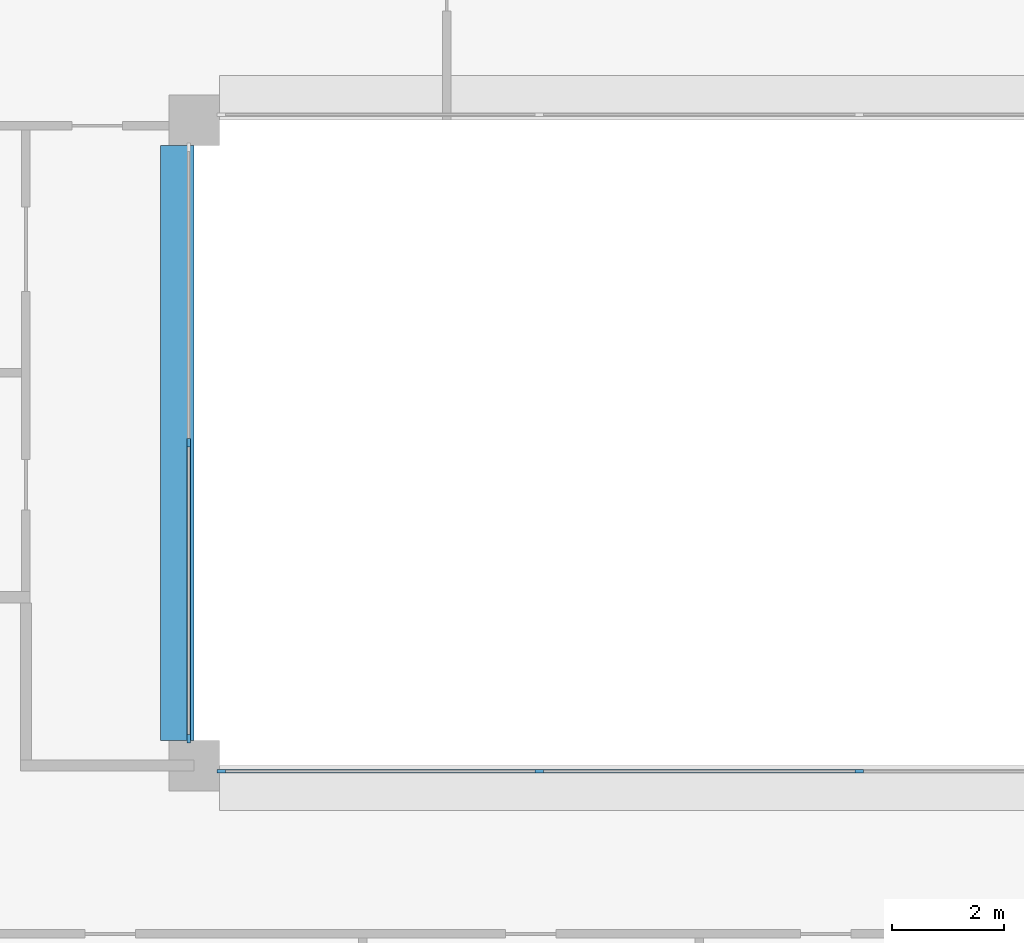
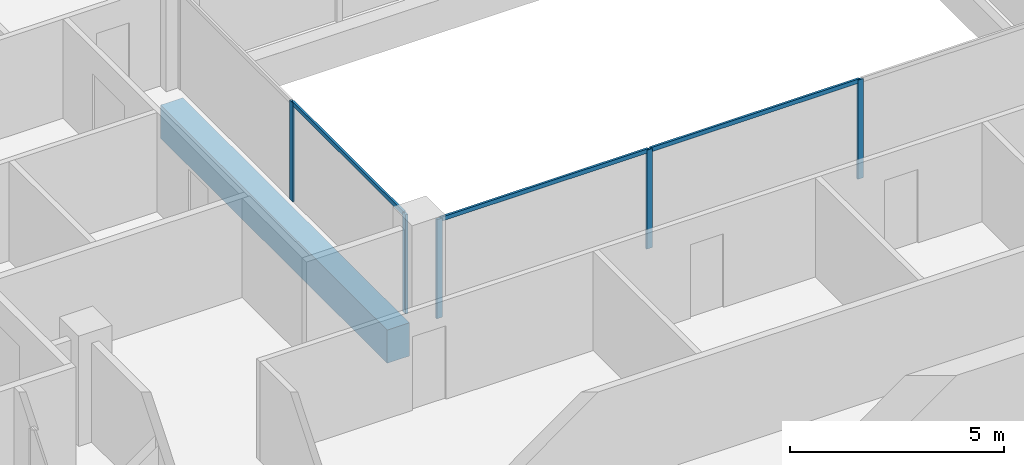
# One storey, part 2 of 15: 8 members, 1 beam, 2 elements without a shape of their own.
"""IFC4 building model written with IfcOpenShell, lengths in metres."""

from ifc_helpers import new_model, si_unit, direction, frame, origin, origin_2d, place, context, subcontext, project, spatial, rectangle, extrude, material, layer, layer_set, material_profile, profile_set, type_object, element, aggregate, save


model = new_model("IFC4")

# Units and contexts
model_context = context("Model", 3, precision=1e-05, world=origin(), true_north=direction((0.0, 1.0)))
body_context = subcontext(model_context, "Body", "Model", "MODEL_VIEW")
ifc_project = project(units=[si_unit("LENGTHUNIT", "METRE"), si_unit("AREAUNIT", "SQUARE_METRE"), si_unit("VOLUMEUNIT", "CUBIC_METRE"), si_unit("PLANEANGLEUNIT", "RADIAN"), si_unit("MASSUNIT", "GRAM", prefix="KILO")], contexts=[model_context])

# Site, building, storey
site_placement = place(None, origin())
site = spatial("IfcSite", under=ifc_project, at=site_placement, CompositionType="ELEMENT")
building_placement = place(site_placement, origin())
building = spatial("IfcBuilding", under=site, at=building_placement, Name="Brigalow Station Residences", CompositionType="ELEMENT")
storey_placement = place(building_placement, frame((0.0, 0.0, 223.199951171875)))
storey = spatial("IfcBuildingStorey", under=building, at=storey_placement, Name="L64", CompositionType="ELEMENT", Elevation=223.199951171875)

# Beam
ifc_material_1 = material(Name="Concrete C65", Category="concrete")
ifc_material_profile_1 = material_profile(ifc_material_1, rectangle(XDim=0.60009765625, YDim=0.949951171875, at=origin_2d()), Name="RC600x950")
ifc_profile_set_1 = profile_set([ifc_material_profile_1], Name="Concrete C65")
beam_type = type_object("IfcBeamType", Name="ATRIUM EDGE GIRDER 600x950 C65", PredefinedType="BEAM", material=ifc_profile_set_1)
beam_placement = place(storey_placement, frame((26.699951171875, 24.449951171875, -0.794921875), z_axis=(0.0, 1.0, 0.0), x_axis=(-1.0, 0.0, 0.0)))
element("IfcBeam", 1, at=beam_placement, inside=storey, type_object=beam_type, Name="ATRIUM EDGE GIRDER 3 L64", PredefinedType="BEAM", context=body_context, shape_type="SweptSolid", body=[
    extrude(rectangle(XDim=0.60009765625, YDim=0.949951171875, at=origin_2d()), origin(), (0.0, 0.0, 1.0), 10.60009765625),
])

# Curtain wall, members
ifc_material_2 = material(Name="Aluminium", Category="aluminium")
ifc_layer = layer(ifc_material_2, 0.14990234375)
ifc_layer_set = layer_set([ifc_layer], Name="ATRIUM FIRE-RATED GLAZING CURTAIN WALL")
curtain_wall_type = type_object("IfcCurtainWallType", Name="ATRIUM FIRE-RATED GLAZING CURTAIN WALL", PredefinedType="NOTDEFINED", material=ifc_layer_set)
curtain_wall_1_placement = place(storey_placement, origin())
curtain_wall_1 = element("IfcCurtainWall", 2, at=curtain_wall_1_placement, inside=storey, type_object=curtain_wall_type, Name="L64/cw/atrium-S", PredefinedType="NOTDEFINED")
ifc_material_3 = material(Name="Aluminium", Category="aluminium")
ifc_material_profile_2 = material_profile(ifc_material_3, rectangle(XDim=0.06005859375, YDim=0.14990234375, at=origin_2d()), Name="ATRIUM FIRE-RATED GLAZING MULLION 60x150")
ifc_profile_set_2 = profile_set([ifc_material_profile_2], Name="Aluminium")
member_type_1 = type_object("IfcMemberType", Name="ATRIUM FIRE-RATED GLAZING MULLION 60x150", PredefinedType="MULLION", material=ifc_profile_set_2)
member_1_placement = place(storey_placement, frame((27.47998046875, 23.89990234375, 0.0), z_axis=(0.0, 0.0, 1.0), x_axis=(0.0, 1.0, 0.0)))
member_1 = element("IfcMember", 3, at=member_1_placement, type_object=member_type_1, Name="L64/cw/atrium-S/M00", PredefinedType="MULLION", context=body_context, shape_type="SweptSolid", body=[
    extrude(rectangle(XDim=0.06005859375, YDim=0.14990234375, at=origin_2d()), origin(), (0.0, 0.0, 1.0), 2.830078125),
])
member_2_placement = place(storey_placement, frame((33.14990234375, 23.89990234375, 0.0), z_axis=(0.0, 0.0, 1.0), x_axis=(0.0, 1.0, 0.0)))
member_2 = element("IfcMember", 4, at=member_2_placement, type_object=member_type_1, Name="L64/cw/atrium-S/M01", PredefinedType="MULLION", context=body_context, shape_type="SweptSolid", body=[
    extrude(rectangle(XDim=0.06005859375, YDim=0.14990234375, at=origin_2d()), origin(), (0.0, 0.0, 1.0), 2.830078125),
])
member_3_placement = place(storey_placement, frame((38.85009765625, 23.89990234375, 0.0), z_axis=(0.0, 0.0, 1.0), x_axis=(0.0, 1.0, 0.0)))
member_3 = element("IfcMember", 5, at=member_3_placement, type_object=member_type_1, Name="L64/cw/atrium-S/M02", PredefinedType="MULLION", context=body_context, shape_type="SweptSolid", body=[
    extrude(rectangle(XDim=0.06005859375, YDim=0.14990234375, at=origin_2d()), origin(), (0.0, 0.0, 1.0), 2.830078125),
])

curtain_wall_2_placement = place(storey_placement, origin())
curtain_wall_2 = element("IfcCurtainWall", 6, at=curtain_wall_2_placement, inside=storey, type_object=curtain_wall_type, Name="L64/cw/atrium-W", PredefinedType="NOTDEFINED")
member_4_placement = place(storey_placement, frame((26.89990234375, 29.75, 0.0), z_axis=(0.0, 0.0, 1.0), x_axis=(1.0, 0.0, 0.0)))
member_4 = element("IfcMember", 7, at=member_4_placement, type_object=member_type_1, Name="L64/cw/atrium-W/M01", PredefinedType="MULLION", context=body_context, shape_type="SweptSolid", body=[
    extrude(rectangle(XDim=0.06005859375, YDim=0.14990234375, at=origin_2d()), origin(), (0.0, 0.0, 1.0), 2.830078125),
])
member_5_placement = place(storey_placement, frame((26.89990234375, 24.47998046875, 0.0), z_axis=(0.0, 0.0, 1.0), x_axis=(1.0, 0.0, 0.0)))
member_5 = element("IfcMember", 8, at=member_5_placement, type_object=member_type_1, Name="L64/cw/atrium-W/M02", PredefinedType="MULLION", context=body_context, shape_type="SweptSolid", body=[
    extrude(rectangle(XDim=0.06005859375, YDim=0.14990234375, at=origin_2d()), origin(), (0.0, 0.0, 1.0), 2.830078125),
])

# Member
ifc_material_4 = material(Name="Aluminium", Category="aluminium")
ifc_material_profile_3 = material_profile(ifc_material_4, rectangle(XDim=0.06005859375, YDim=0.1201171875, at=origin_2d()), Name="ATRIUM FIRE-RATED GLAZING TRANSOM 60x120")
ifc_profile_set_3 = profile_set([ifc_material_profile_3], Name="Aluminium")
member_type_2 = type_object("IfcMemberType", Name="ATRIUM FIRE-RATED GLAZING TRANSOM 60x120", PredefinedType="USERDEFINED", material=ifc_profile_set_3)
member_6_placement = place(storey_placement, frame((27.510009765625, 23.89990234375, 2.800048828125), z_axis=(1.0, 0.0, 0.0), x_axis=(0.0, 1.0, 0.0)))
member_6 = element("IfcMember", 9, at=member_6_placement, type_object=member_type_2, Name="L64/cw/atrium-S/T00-00", ObjectType="TRANSOM", PredefinedType="USERDEFINED", context=body_context, shape_type="SweptSolid", body=[
    extrude(rectangle(XDim=0.06005859375, YDim=0.1201171875, at=origin_2d()), origin(), (0.0, 0.0, 1.0), 5.610107421875),
])

member_7_placement = place(storey_placement, frame((33.179931640625, 23.89990234375, 2.800048828125), z_axis=(1.0, 0.0, 0.0), x_axis=(0.0, 1.0, 0.0)))
member_7 = element("IfcMember", 10, at=member_7_placement, type_object=member_type_2, Name="L64/cw/atrium-S/T01-00", ObjectType="TRANSOM", PredefinedType="USERDEFINED", context=body_context, shape_type="SweptSolid", body=[
    extrude(rectangle(XDim=0.06005859375, YDim=0.1201171875, at=origin_2d()), origin(), (0.0, 0.0, 1.0), 5.64013671875),
])

aggregate(curtain_wall_1, [member_1, member_2, member_3, member_6, member_7])

member_8_placement = place(storey_placement, frame((26.89990234375, 29.719970703125, 2.800048828125), z_axis=(0.0, -1.0, 0.0), x_axis=(1.0, 0.0, 0.0)))
member_8 = element("IfcMember", 11, at=member_8_placement, type_object=member_type_2, Name="L64/cw/atrium-W/T01-00", ObjectType="TRANSOM", PredefinedType="USERDEFINED", context=body_context, shape_type="SweptSolid", body=[
    extrude(rectangle(XDim=0.06005859375, YDim=0.1201171875, at=origin_2d()), origin(), (0.0, 0.0, 1.0), 5.2099609375),
])

aggregate(curtain_wall_2, [member_4, member_5, member_8])

save(model, "model.ifc")
